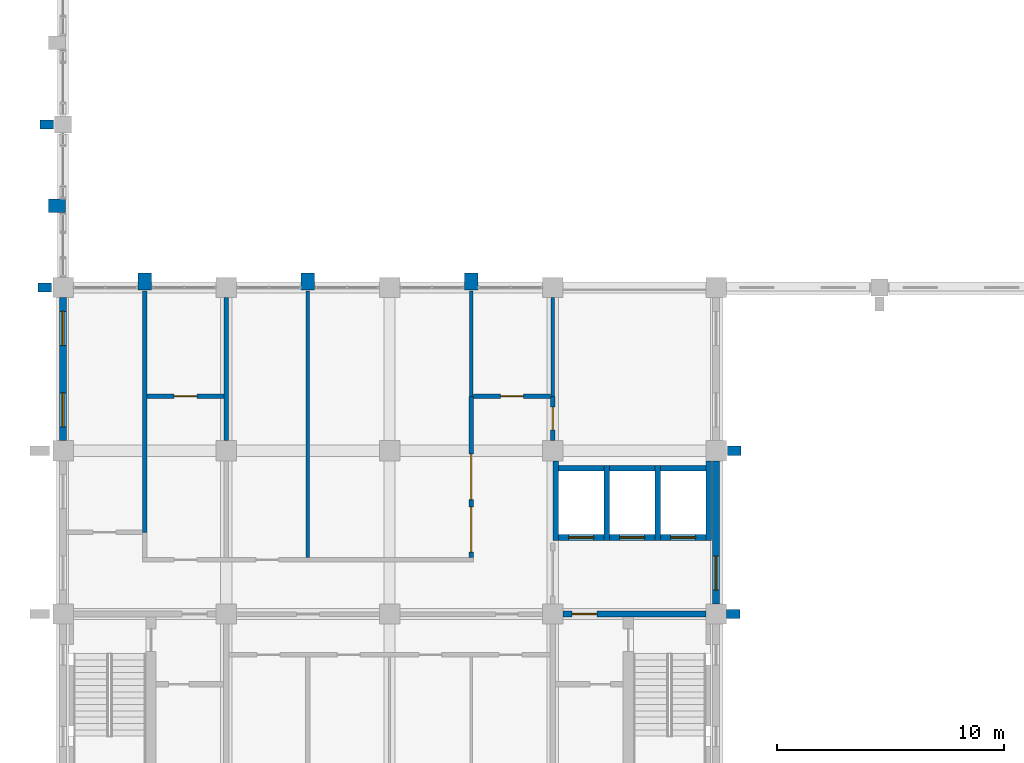
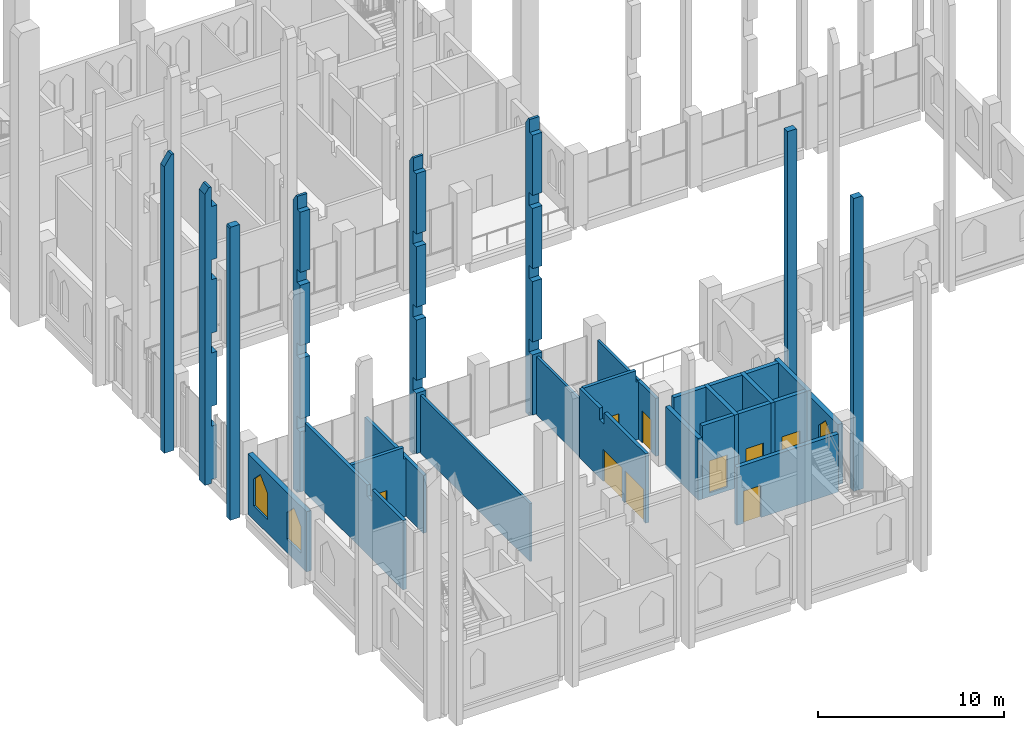
# One storey, part 29 of 40: 30 walls, 9 doors, 3 windows, 12 openings.
"""IFC4 building model written with IfcOpenShell, lengths in metres."""

from ifc_helpers import new_model, si_unit, direction, frame, frame_2d, origin, place, context, subcontext, project, spatial, polyline, rectangle, outline, extrude, material, layer, layer_set, type_object, element, fill, save


model = new_model("IFC4")

# Units and contexts
model_context = context("Model", 3, precision=1e-05, world=origin(), true_north=direction((0.0, 1.0)))
body_context = subcontext(model_context, "Body", "Model", "MODEL_VIEW")
ifc_project = project(units=[si_unit("LENGTHUNIT", "METRE"), si_unit("AREAUNIT", "SQUARE_METRE"), si_unit("VOLUMEUNIT", "CUBIC_METRE"), si_unit("PLANEANGLEUNIT", "RADIAN"), si_unit("MASSUNIT", "GRAM", prefix="KILO")], contexts=[model_context])

# Site, building, storey
site_placement = place(None, origin())
site = spatial("IfcSite", under=ifc_project, at=site_placement, CompositionType="ELEMENT")
building_placement = place(site_placement, origin())
building = spatial("IfcBuilding", under=site, at=building_placement, Name="Silangan Lancet Faculty of Sciences", CompositionType="ELEMENT")
storey_placement = place(building_placement, frame((0.0, 0.0, 21.60009765625)))
storey = spatial("IfcBuildingStorey", under=building, at=storey_placement, Name="L04", CompositionType="ELEMENT", Elevation=21.60009765625)

# Wall, openings, windows
ifc_material_1 = material(Name="Concrete C40/50 precast", Category="concrete")
ifc_layer_1 = layer(ifc_material_1, 0.300048828125)
ifc_layer_set_1 = layer_set([ifc_layer_1], Name="Concrete C40/50 precast")
wall_type_1 = type_object("IfcWallType", Name="EW1 Precast cladding wall", PredefinedType="STANDARD", material=ifc_layer_set_1)
wall_1_placement = place(storey_placement, frame((0.0, 14.85009765625, 0.0), z_axis=(0.0, 0.0, 1.0), x_axis=(0.0, 1.0, 0.0)))
wall_1 = element("IfcWall", 1, at=wall_1_placement, inside=storey, type_object=wall_type_1, Name="EW-L04-W-ST-02", PredefinedType="STANDARD", context=body_context, shape_type="SweptSolid", body=[
    extrude(rectangle(XDim=6.2998046875, YDim=0.300048828125, at=frame_2d((3.14990234375, 0.0))), origin(), (0.0, 0.0, 1.0), 3.949951171875),
])
opening_1_placement = place(wall_1_placement, frame((0.60009765625, 0.0, 0.89990234375)))
opening_1 = element("IfcOpeningElement", 2, at=opening_1_placement, cuts=wall_1, Name="Opening W12", PredefinedType="OPENING", context=body_context, shape_type="SweptSolid", body=[
    extrude(outline(polyline([(0.0, 0.0), (1.5, 0.0), (1.5, 1.75), (0.75, 2.5), (0.0, 1.75), (0.0, 0.0)])), frame((0.0, 0.159912109375, 0.0), z_axis=(0.0, -1.0, 0.0), x_axis=(1.0, 0.0, 0.0)), (0.0, 0.0, 1.0), 0.320068359375),
])
opening_2_placement = place(wall_1_placement, frame((4.199951171875, 0.0, 0.89990234375)))
opening_2 = element("IfcOpeningElement", 3, at=opening_2_placement, cuts=wall_1, Name="Opening W12", PredefinedType="OPENING", context=body_context, shape_type="SweptSolid", body=[
    extrude(outline(polyline([(0.0, 0.0), (1.5, 0.0), (1.5, 1.75), (0.75, 2.5), (0.0, 1.75), (0.0, 0.0)])), frame((0.0, 0.159912109375, 0.0), z_axis=(0.0, -1.0, 0.0), x_axis=(1.0, 0.0, 0.0)), (0.0, 0.0, 1.0), 0.320068359375),
])
ifc_material_2 = material(Name="Aluminium frame, laminated double glazing", Category="aluminium")
window_type = type_object("IfcWindowType", Name="W12 Lancet window 1500 x 2500", PartitioningType="SINGLE_PANEL", PredefinedType="WINDOW", material=ifc_material_2)
window_1_placement = place(opening_1_placement, origin())
window_1 = element("IfcWindow", 4, at=window_1_placement, inside=storey, type_object=window_type, Name="WIN-L04-W-ST-02a", OverallHeight=2.5, OverallWidth=1.5, PartitioningType="SINGLE_PANEL", PredefinedType="WINDOW", context=body_context, shape_type="SweptSolid", body=[
    extrude(outline(polyline([(0.0, 0.0), (1.5, 0.0), (1.5, 1.75), (0.75, 2.5), (0.0, 1.75), (0.0, 0.0)])), frame((0.0, 0.030029296875, 0.0), z_axis=(0.0, -1.0, 0.0), x_axis=(1.0, 0.0, 0.0)), (0.0, 0.0, 1.0), 0.06005859375),
])
fill(opening_1, window_1)
window_2_placement = place(opening_2_placement, origin())
window_2 = element("IfcWindow", 5, at=window_2_placement, inside=storey, type_object=window_type, Name="WIN-L04-W-ST-02b", OverallHeight=2.5, OverallWidth=1.5, PartitioningType="SINGLE_PANEL", PredefinedType="WINDOW", context=body_context, shape_type="SweptSolid", body=[
    extrude(outline(polyline([(0.0, 0.0), (1.5, 0.0), (1.5, 1.75), (0.75, 2.5), (0.0, 1.75), (0.0, 0.0)])), frame((0.0, 0.030029296875, 0.0), z_axis=(0.0, -1.0, 0.0), x_axis=(1.0, 0.0, 0.0)), (0.0, 0.0, 1.0), 0.06005859375),
])
fill(opening_2, window_2)

# Wall, opening, window
wall_2_placement = place(storey_placement, frame((28.800048828125, 7.64990234375, 0.0), z_axis=(0.0, 0.0, 1.0), x_axis=(0.0, 1.0, 0.0)))
wall_2 = element("IfcWall", 6, at=wall_2_placement, inside=storey, type_object=wall_type_1, Name="EW-L04-E-ST-01", PredefinedType="STANDARD", context=body_context, shape_type="SweptSolid", body=[
    extrude(rectangle(XDim=6.300048828125, YDim=0.300048828125, at=frame_2d((3.14990234375, 0.0))), origin(), (0.0, 0.0, 1.0), 3.949951171875),
])
opening_3_placement = place(wall_2_placement, frame((0.60009765625, 0.0, 0.89990234375)))
opening_3 = element("IfcOpeningElement", 7, at=opening_3_placement, cuts=wall_2, Name="Opening W12", PredefinedType="OPENING", context=body_context, shape_type="SweptSolid", body=[
    extrude(outline(polyline([(0.0, 0.0), (1.5, 0.0), (1.5, 1.75), (0.75, 2.5), (0.0, 1.75), (0.0, 0.0)])), frame((0.0, 0.159912109375, 0.0), z_axis=(0.0, -1.0, 0.0), x_axis=(1.0, 0.0, 0.0)), (0.0, 0.0, 1.0), 0.320068359375),
])
window_3_placement = place(opening_3_placement, origin())
window_3 = element("IfcWindow", 8, at=window_3_placement, inside=storey, type_object=window_type, Name="WIN-L04-E-ST-01a", OverallHeight=2.5, OverallWidth=1.5, PartitioningType="SINGLE_PANEL", PredefinedType="WINDOW", context=body_context, shape_type="SweptSolid", body=[
    extrude(outline(polyline([(0.0, 0.0), (1.5, 0.0), (1.5, 1.75), (0.75, 2.5), (0.0, 1.75), (0.0, 0.0)])), frame((0.0, 0.030029296875, 0.0), z_axis=(0.0, -1.0, 0.0), x_axis=(1.0, 0.0, 0.0)), (0.0, 0.0, 1.0), 0.06005859375),
])
fill(opening_3, window_3)

# Walls
ifc_material_3 = material(Name="Concrete C40/50 precast", Category="concrete")
ifc_layer_2 = layer(ifc_material_3, 0.39990234375)
ifc_layer_set_2 = layer_set([ifc_layer_2], Name="Concrete C40/50 precast")
wall_type_2 = type_object("IfcWallType", Name="FN21 Buttress Fin column line stage 2 19200", PredefinedType="POLYGONAL", material=ifc_layer_set_2)
for number, where, z_axis, x_axis, name in (
    (9, (-0.5, 21.60009765625, -0.25), (0.0, 0.0, 1.0), (-1.0, 0.0, 0.0), "FINC-W-NAVE-01-S2"),
    (10, (29.300048828125, 14.39990234375, -0.25), (0.0, 0.0, 1.0), (1.0, 0.0, 0.0), "FINC-E-ST-03-S2"),
):
    element("IfcWall", number, at=place(storey_placement, frame(where, z_axis=z_axis, x_axis=x_axis)), inside=storey, type_object=wall_type_2, Name=name, PredefinedType="POLYGONAL", context=body_context, shape_type="SweptSolid", body=[
        extrude(outline(polyline([(0.60009765625, 0.0), (0.60009765625, 19.125), (0.550048828125, 19.199951171875), (0.0, 19.199951171875), (0.0, 0.0), (0.60009765625, 0.0)])), frame((0.0, 0.199951171875, 0.0), z_axis=(0.0, -1.0, 0.0), x_axis=(1.0, 0.0, 0.0)), (0.0, 0.0, 1.0), 0.39990234375),
    ])
ifc_material_4 = material(Name="Concrete C40/50 precast", Category="concrete")
ifc_layer_3 = layer(ifc_material_4, 0.39990234375)
ifc_layer_set_3 = layer_set([ifc_layer_3], Name="Concrete C40/50 precast")
wall_type_3 = type_object("IfcWallType", Name="FN24 Buttress Fin column line stage 2 19450", PredefinedType="POLYGONAL", material=ifc_layer_set_3)
wall_3_placement = place(storey_placement, frame((-0.425048828125, 28.800048828125, -0.25), z_axis=(0.0, 0.0, 1.0), x_axis=(-1.0, 0.0, 0.0)))
element("IfcWall", 11, at=wall_3_placement, inside=storey, type_object=wall_type_3, Name="FINC-W-NAVE-02-S2", PredefinedType="POLYGONAL", context=body_context, shape_type="SweptSolid", body=[
    extrude(outline(polyline([(0.60009765625, 0.0), (0.60009765625, 18.77490234375), (0.14990234375, 19.449951171875), (0.0, 19.449951171875), (0.0, 0.0), (0.60009765625, 0.0)])), frame((0.0, 0.199951171875, 0.0), z_axis=(0.0, -1.0, 0.0), x_axis=(1.0, 0.0, 0.0)), (0.0, 0.0, 1.0), 0.39990234375),
])
ifc_material_5 = material(Name="Concrete C40/50 precast", Category="concrete")
ifc_layer_4 = layer(ifc_material_5, 0.39990234375)
ifc_layer_set_4 = layer_set([ifc_layer_4], Name="Concrete C40/50 precast")
wall_type_4 = type_object("IfcWallType", Name="FN39 Buttress Fin column line stage 2 19200", PredefinedType="POLYGONAL", material=ifc_layer_set_4)
wall_4_placement = place(storey_placement, frame((29.25, 7.199951171875, -0.25), z_axis=(0.0, 0.0, 1.0), x_axis=(1.0, 0.0, 0.0)))
element("IfcWall", 12, at=wall_4_placement, inside=storey, type_object=wall_type_4, Name="FINC-E-ST-02-S2", PredefinedType="POLYGONAL", context=body_context, shape_type="SweptSolid", body=[
    extrude(outline(polyline([(0.60009765625, 0.0), (0.60009765625, 19.125), (0.550048828125, 19.199951171875), (0.0, 19.199951171875), (0.0, 0.0), (0.60009765625, 0.0)])), frame((0.0, 0.199951171875, 0.0), z_axis=(0.0, -1.0, 0.0), x_axis=(1.0, 0.0, 0.0)), (0.0, 0.0, 1.0), 0.39990234375),
])
ifc_material_6 = material(Name="Concrete C40/50 precast", Category="concrete")
ifc_layer_5 = layer(ifc_material_6, 0.60009765625)
ifc_layer_set_5 = layer_set([ifc_layer_5], Name="Concrete C40/50 precast")
wall_type_5 = type_object("IfcWallType", Name="FN4 Buttress Fin mid-bay stage 2 19450", PredefinedType="POLYGONAL", material=ifc_layer_set_5)
for number, where, z_axis, x_axis, name in (
    (13, (18.0, 21.5, -0.25), (0.0, 0.0, 1.0), (0.0, 1.0, 0.0), "FIN-ATR-ST-1-S2"),
    (14, (10.800048828125, 21.5, -0.25), (0.0, 0.0, 1.0), (0.0, 1.0, 0.0), "FIN-ATR-ST-3-S2"),
    (15, (3.60009765625, 21.5, -0.25), (0.0, 0.0, 1.0), (0.0, 1.0, 0.0), "FIN-ATR-ST-5-S2"),
):
    element("IfcWall", number, at=place(storey_placement, frame(where, z_axis=z_axis, x_axis=x_axis)), inside=storey, type_object=wall_type_5, Name=name, PredefinedType="POLYGONAL", context=body_context, shape_type="SweptSolid", body=[
        extrude(outline(polyline([(0.75, 0.0), (0.75, 19.0), (0.449951171875, 19.449951171875), (0.300048828125, 19.449951171875), (0.300048828125, 18.599853515625), (0.0, 18.599853515625), (0.0, 14.64990234375), (0.35009765625, 14.64990234375), (0.35009765625, 13.7998046875), (0.0, 13.7998046875), (0.0, 9.849853515625), (0.35009765625, 9.849853515625), (0.35009765625, 9.0), (0.0, 9.0), (0.0, 5.0498046875), (0.35009765625, 5.0498046875), (0.35009765625, 4.199951171875), (0.0, 4.199951171875), (0.0, 0.25), (0.35009765625, 0.25), (0.35009765625, 0.0), (0.75, 0.0)])), frame((0.0, 0.300048828125, 0.0), z_axis=(0.0, -1.0, 0.0), x_axis=(1.0, 0.0, 0.0)), (0.0, 0.0, 1.0), 0.60009765625),
    ])
ifc_material_7 = material(Name="Concrete C40/50 precast", Category="concrete")
ifc_layer_6 = layer(ifc_material_7, 0.60009765625)
ifc_layer_set_6 = layer_set([ifc_layer_6], Name="Concrete C40/50 precast")
wall_type_6 = type_object("IfcWallType", Name="FN6 Buttress Fin mid-bay stage 2 19450", PredefinedType="POLYGONAL", material=ifc_layer_set_6)
wall_5_placement = place(storey_placement, frame((0.10009765625, 25.199951171875, -0.25), z_axis=(0.0, 0.0, 1.0), x_axis=(-1.0, 0.0, 0.0)))
element("IfcWall", 16, at=wall_5_placement, inside=storey, type_object=wall_type_6, Name="FIN-W-NAVE-1-S2", PredefinedType="POLYGONAL", context=body_context, shape_type="SweptSolid", body=[
    extrude(outline(polyline([(0.75, 0.0), (0.75, 19.074951171875), (0.5, 19.449951171875), (0.35009765625, 19.449951171875), (0.35009765625, 18.14990234375), (0.0, 18.14990234375), (0.0, 14.64990234375), (0.35009765625, 14.64990234375), (0.35009765625, 13.349853515625), (0.0, 13.349853515625), (0.0, 9.849853515625), (0.35009765625, 9.849853515625), (0.35009765625, 8.5498046875), (0.0, 8.5498046875), (0.0, 5.0498046875), (0.35009765625, 5.0498046875), (0.35009765625, 3.75), (0.0, 3.75), (0.0, 0.25), (0.35009765625, 0.25), (0.35009765625, 0.0), (0.75, 0.0)])), frame((0.0, 0.300048828125, 0.0), z_axis=(0.0, -1.0, 0.0), x_axis=(1.0, 0.0, 0.0)), (0.0, 0.0, 1.0), 0.60009765625),
])

# Wall, opening, door
ifc_material_8 = material(Name="Hollow block masonry fm 7 MPa", Category="masonry")
ifc_layer_7 = layer(ifc_material_8, 0.199951171875)
ifc_layer_set_7 = layer_set([ifc_layer_7], Name="Hollow block masonry fm 7 MPa")
wall_type_7 = type_object("IfcWallType", Name="Interior wall PW1 Corridor wall CHB 200", PredefinedType="PARTITIONING", material=ifc_layer_set_7)
wall_6_placement = place(storey_placement, frame((18.10009765625, 16.800048828125, 0.0), z_axis=(0.0, 0.0, 1.0), x_axis=(1.0, 0.0, 0.0)))
wall_6 = element("IfcWall", 17, at=wall_6_placement, inside=storey, type_object=wall_type_7, Name="Corridor wall CHB 200", PredefinedType="PARTITIONING", context=body_context, shape_type="SweptSolid", body=[
    extrude(outline(polyline([(0.0, 0.0), (3.39990234375, 0.0), (3.39990234375, 3.7998046875), (3.25, 3.7998046875), (3.25, 4.5498046875), (0.0, 4.5498046875), (0.0, 0.0)])), frame((0.0, 0.10009765625, 0.0), z_axis=(0.0, -1.0, 0.0), x_axis=(1.0, 0.0, 0.0)), (0.0, 0.0, 1.0), 0.199951171875),
])
opening_4_placement = place(wall_6_placement, frame((1.199951171875, 0.0, 0.0)))
opening_4 = element("IfcOpeningElement", 18, at=opening_4_placement, cuts=wall_6, Name="Opening L04-013", PredefinedType="OPENING", context=body_context, shape_type="SweptSolid", body=[
    extrude(rectangle(XDim=1.0, YDim=2.10009765625, at=frame_2d((0.5, 1.050048828125))), frame((0.0, 0.10986328125, 0.0), z_axis=(0.0, -1.0, 0.0), x_axis=(1.0, 0.0, 0.0)), (0.0, 0.0, 1.0), 0.219970703125),
])
ifc_material_9 = material(Name="Steel fire door set", Category="steel")
door_type_1 = type_object("IfcDoorType", Name="Door D1 Single leaf fire door 1000 x 2100", OperationType="SINGLE_SWING_LEFT", PredefinedType="DOOR", material=ifc_material_9)
door_1_placement = place(opening_4_placement, origin())
door_1 = element("IfcDoor", 19, at=door_1_placement, inside=storey, type_object=door_type_1, Name="Single leaf fire door 1000 x 2100", OperationType="SINGLE_SWING_RIGHT", OverallHeight=2.10009765625, OverallWidth=1.0, PredefinedType="DOOR", context=body_context, shape_type="SweptSolid", body=[
    extrude(rectangle(XDim=1.0, YDim=2.10009765625, at=frame_2d((0.5, 1.050048828125))), frame((0.0, 0.02490234375, 0.0), z_axis=(0.0, -1.0, 0.0), x_axis=(1.0, 0.0, 0.0)), (0.0, 0.0, 1.0), 0.050048828125),
])
fill(opening_4, door_1)

# Wall, openings, doors
wall_7_placement = place(storey_placement, frame((18.0, 9.699951171875, 0.0), z_axis=(0.0, 0.0, 1.0), x_axis=(0.0, 1.0, 0.0)))
wall_7 = element("IfcWall", 20, at=wall_7_placement, inside=storey, type_object=wall_type_7, Name="Corridor wall CHB 200", PredefinedType="PARTITIONING", context=body_context, shape_type="SweptSolid", body=[
    extrude(outline(polyline([(0.0, 0.0), (7.10009765625, 0.0), (7.10009765625, 4.5498046875), (4.949951171875, 4.5498046875), (4.949951171875, 3.7998046875), (4.449951171875, 3.7998046875), (4.449951171875, 4.5498046875), (0.0, 4.5498046875), (0.0, 0.0)])), frame((0.0, 0.10009765625, 0.0), z_axis=(0.0, -1.0, 0.0), x_axis=(1.0, 0.0, 0.0)), (0.0, 0.0, 1.0), 0.199951171875),
])
opening_5_placement = place(wall_7_placement, frame((2.550048828125, 0.0, 0.0)))
opening_5 = element("IfcOpeningElement", 21, at=opening_5_placement, cuts=wall_7, Name="Opening L04-019", PredefinedType="OPENING", context=body_context, shape_type="SweptSolid", body=[
    extrude(rectangle(XDim=2.0, YDim=2.10009765625, at=frame_2d((1.0, 1.050048828125))), frame((0.0, 0.10986328125, 0.0), z_axis=(0.0, -1.0, 0.0), x_axis=(1.0, 0.0, 0.0)), (0.0, 0.0, 1.0), 0.219970703125),
])
opening_6_placement = place(wall_7_placement, frame((0.22509765625, 0.0, 0.0)))
opening_6 = element("IfcOpeningElement", 22, at=opening_6_placement, cuts=wall_7, Name="Opening L04-020", PredefinedType="OPENING", context=body_context, shape_type="SweptSolid", body=[
    extrude(rectangle(XDim=2.0, YDim=2.10009765625, at=frame_2d((1.0, 1.050048828125))), frame((0.0, 0.10986328125, 0.0), z_axis=(0.0, -1.0, 0.0), x_axis=(1.0, 0.0, 0.0)), (0.0, 0.0, 1.0), 0.219970703125),
])
ifc_material_10 = material(Name="Steel fire door set", Category="steel")
door_type_2 = type_object("IfcDoorType", Name="Door D4 Double leaf fire door 2000 x 2100", OperationType="DOUBLE_DOOR_SINGLE_SWING", PredefinedType="DOOR", material=ifc_material_10)
door_2_placement = place(opening_5_placement, origin())
door_2 = element("IfcDoor", 23, at=door_2_placement, inside=storey, type_object=door_type_2, Name="Double leaf fire door 2000 x 2100", OperationType="DOUBLE_DOOR_SINGLE_SWING", OverallHeight=2.10009765625, OverallWidth=2.0, PredefinedType="DOOR", context=body_context, shape_type="SweptSolid", body=[
    extrude(rectangle(XDim=2.0, YDim=2.10009765625, at=frame_2d((1.0, 1.050048828125))), frame((0.0, 0.02490234375, 0.0), z_axis=(0.0, -1.0, 0.0), x_axis=(1.0, 0.0, 0.0)), (0.0, 0.0, 1.0), 0.050048828125),
])
fill(opening_5, door_2)
door_3_placement = place(opening_6_placement, origin())
door_3 = element("IfcDoor", 24, at=door_3_placement, inside=storey, type_object=door_type_2, Name="Double leaf fire door 2000 x 2100", OperationType="DOUBLE_DOOR_SINGLE_SWING", OverallHeight=2.10009765625, OverallWidth=2.0, PredefinedType="DOOR", context=body_context, shape_type="SweptSolid", body=[
    extrude(rectangle(XDim=2.0, YDim=2.10009765625, at=frame_2d((1.0, 1.050048828125))), frame((0.0, 0.02490234375, 0.0), z_axis=(0.0, -1.0, 0.0), x_axis=(1.0, 0.0, 0.0)), (0.0, 0.0, 1.0), 0.050048828125),
])
fill(opening_6, door_3)

# Wall, opening, door
wall_8_placement = place(storey_placement, frame((21.60009765625, 14.85009765625, 0.0), z_axis=(0.0, 0.0, 1.0), x_axis=(0.0, 1.0, 0.0)))
wall_8 = element("IfcWall", 25, at=wall_8_placement, inside=storey, type_object=wall_type_7, Name="Corridor wall CHB 200", PredefinedType="PARTITIONING", context=body_context, shape_type="SweptSolid", body=[
    extrude(rectangle(XDim=1.949951171875, YDim=0.199951171875, at=frame_2d((0.97509765625, 0.0))), origin(), (0.0, 0.0, 1.0), 3.7998046875),
])
opening_7_placement = place(wall_8_placement, frame((0.474853515625, 0.0, 0.0)))
opening_7 = element("IfcOpeningElement", 26, at=opening_7_placement, cuts=wall_8, Name="Opening L04-014", PredefinedType="OPENING", context=body_context, shape_type="SweptSolid", body=[
    extrude(rectangle(XDim=1.0, YDim=2.10009765625, at=frame_2d((0.5, 1.050048828125))), frame((0.0, 0.10986328125, 0.0), z_axis=(0.0, -1.0, 0.0), x_axis=(1.0, 0.0, 0.0)), (0.0, 0.0, 1.0), 0.219970703125),
])
door_4_placement = place(opening_7_placement, frame((1.0, 0.0, 0.0), z_axis=(0.0, 0.0, 1.0), x_axis=(-1.0, 0.0, 0.0)))
door_4 = element("IfcDoor", 27, at=door_4_placement, inside=storey, type_object=door_type_1, Name="Single leaf fire door 1000 x 2100", OperationType="SINGLE_SWING_RIGHT", OverallHeight=2.10009765625, OverallWidth=1.0, PredefinedType="DOOR", context=body_context, shape_type="SweptSolid", body=[
    extrude(rectangle(XDim=1.0, YDim=2.10009765625, at=frame_2d((0.5, 1.050048828125))), frame((0.0, 0.025146484375, 0.0), z_axis=(0.0, -1.0, 0.0), x_axis=(1.0, 0.0, 0.0)), (0.0, 0.0, 1.0), 0.050048828125),
])
fill(opening_7, door_4)

# Walls
ifc_material_11 = material(Name="Hollow block masonry fm 7 MPa", Category="masonry")
ifc_layer_8 = layer(ifc_material_11, 0.14990234375)
ifc_layer_set_8 = layer_set([ifc_layer_8], Name="Hollow block masonry fm 7 MPa")
wall_type_8 = type_object("IfcWallType", Name="Interior wall PW3 Partition CHB 150", PredefinedType="PARTITIONING", material=ifc_layer_set_8)
wall_9_placement = place(storey_placement, frame((10.800048828125, 9.699951171875, 0.0), z_axis=(0.0, 0.0, 1.0), x_axis=(0.0, 1.0, 0.0)))
element("IfcWall", 28, at=wall_9_placement, inside=storey, type_object=wall_type_8, Name="Partition CHB 150", PredefinedType="PARTITIONING", context=body_context, shape_type="SweptSolid", body=[
    extrude(rectangle(XDim=11.75, YDim=0.14990234375, at=frame_2d((5.875, 0.0))), origin(), (0.0, 0.0, 1.0), 3.7998046875),
])
wall_10_placement = place(storey_placement, frame((18.0, 16.800048828125, 0.0), z_axis=(0.0, 0.0, 1.0), x_axis=(0.0, 1.0, 0.0)))
element("IfcWall", 29, at=wall_10_placement, inside=storey, type_object=wall_type_8, Name="Partition CHB 150", PredefinedType="PARTITIONING", context=body_context, shape_type="SweptSolid", body=[
    extrude(rectangle(XDim=4.64990234375, YDim=0.14990234375, at=frame_2d((2.324951171875, 0.0))), origin(), (0.0, 0.0, 1.0), 3.7998046875),
])
wall_11_placement = place(storey_placement, frame((21.60009765625, 16.800048828125, 0.0), z_axis=(0.0, 0.0, 1.0), x_axis=(0.0, 1.0, 0.0)))
element("IfcWall", 30, at=wall_11_placement, inside=storey, type_object=wall_type_8, Name="Partition CHB 150", PredefinedType="PARTITIONING", context=body_context, shape_type="SweptSolid", body=[
    extrude(rectangle(XDim=4.349853515625, YDim=0.14990234375, at=frame_2d((2.1748046875, 0.0))), origin(), (0.0, 0.0, 1.0), 3.7998046875),
])

# Wall, opening, door
ifc_material_12 = material(Name="Hollow block masonry fm 7 MPa", Category="masonry")
ifc_layer_9 = layer(ifc_material_12, 0.199951171875)
ifc_layer_set_9 = layer_set([ifc_layer_9], Name="Hollow block masonry fm 7 MPa")
wall_type_9 = type_object("IfcWallType", Name="Interior wall PW4 Laboratory separation CHB 200", PredefinedType="PARTITIONING", material=ifc_layer_set_9)
wall_12_placement = place(storey_placement, frame((3.699951171875, 16.800048828125, 0.0), z_axis=(0.0, 0.0, 1.0), x_axis=(1.0, 0.0, 0.0)))
wall_12 = element("IfcWall", 31, at=wall_12_placement, inside=storey, type_object=wall_type_9, Name="Laboratory separation CHB 200", PredefinedType="PARTITIONING", context=body_context, shape_type="SweptSolid", body=[
    extrude(outline(polyline([(0.0, 0.0), (3.400146484375, 0.0), (3.400146484375, 3.7998046875), (3.25, 3.7998046875), (3.25, 4.5498046875), (0.0, 4.5498046875), (0.0, 0.0)])), frame((0.0, 0.10009765625, 0.0), z_axis=(0.0, -1.0, 0.0), x_axis=(1.0, 0.0, 0.0)), (0.0, 0.0, 1.0), 0.199951171875),
])
opening_8_placement = place(wall_12_placement, frame((1.199951171875, 0.0, 0.0)))
opening_8 = element("IfcOpeningElement", 32, at=opening_8_placement, cuts=wall_12, Name="Opening L04-017", PredefinedType="OPENING", context=body_context, shape_type="SweptSolid", body=[
    extrude(rectangle(XDim=1.0, YDim=2.10009765625, at=frame_2d((0.5, 1.050048828125))), frame((0.0, 0.10986328125, 0.0), z_axis=(0.0, -1.0, 0.0), x_axis=(1.0, 0.0, 0.0)), (0.0, 0.0, 1.0), 0.219970703125),
])
door_5_placement = place(opening_8_placement, origin())
door_5 = element("IfcDoor", 33, at=door_5_placement, inside=storey, type_object=door_type_1, Name="Single leaf fire door 1000 x 2100", OperationType="SINGLE_SWING_RIGHT", OverallHeight=2.10009765625, OverallWidth=1.0, PredefinedType="DOOR", context=body_context, shape_type="SweptSolid", body=[
    extrude(rectangle(XDim=1.0, YDim=2.10009765625, at=frame_2d((0.5, 1.050048828125))), frame((0.0, 0.02490234375, 0.0), z_axis=(0.0, -1.0, 0.0), x_axis=(1.0, 0.0, 0.0)), (0.0, 0.0, 1.0), 0.050048828125),
])
fill(opening_8, door_5)

# Walls
wall_13_placement = place(storey_placement, frame((3.60009765625, 10.800048828125, 0.0), z_axis=(0.0, 0.0, 1.0), x_axis=(0.0, 1.0, 0.0)))
element("IfcWall", 34, at=wall_13_placement, inside=storey, type_object=wall_type_9, Name="Laboratory separation CHB 200", PredefinedType="PARTITIONING", context=body_context, shape_type="SweptSolid", body=[
    extrude(outline(polyline([(0.0, 0.0), (10.64990234375, 0.0), (10.64990234375, 3.949951171875), (10.550048828125, 3.949951171875), (10.550048828125, 4.5498046875), (3.85009765625, 4.5498046875), (3.85009765625, 3.7998046875), (3.35009765625, 3.7998046875), (3.35009765625, 4.5498046875), (0.0, 4.5498046875), (0.0, 0.0)])), frame((0.0, 0.10009765625, 0.0), z_axis=(0.0, -1.0, 0.0), x_axis=(1.0, 0.0, 0.0)), (0.0, 0.0, 1.0), 0.199951171875),
])
wall_14_placement = place(storey_placement, frame((7.199951171875, 14.85009765625, 0.0), z_axis=(0.0, 0.0, 1.0), x_axis=(0.0, 1.0, 0.0)))
element("IfcWall", 35, at=wall_14_placement, inside=storey, type_object=wall_type_9, Name="Laboratory separation CHB 200", PredefinedType="PARTITIONING", context=body_context, shape_type="SweptSolid", body=[
    extrude(rectangle(XDim=6.2998046875, YDim=0.199951171875, at=frame_2d((3.14990234375, 0.0))), origin(), (0.0, 0.0, 1.0), 3.7998046875),
])
ifc_material_13 = material(Name="Concrete C40/50", Category="concrete")
ifc_layer_10 = layer(ifc_material_13, 0.25)
ifc_layer_set_10 = layer_set([ifc_layer_10], Name="Concrete C40/50")
wall_type_10 = type_object("IfcWallType", Name="LIFT SHAFT WALL RC 250", PredefinedType="SHEAR", material=ifc_layer_set_10)
wall_15_placement = place(storey_placement, frame((21.72509765625, 10.449951171875, -0.25), z_axis=(0.0, 0.0, 1.0), x_axis=(0.0, 1.0, 0.0)))
element("IfcWall", 36, at=wall_15_placement, inside=storey, type_object=wall_type_10, Name="WALL-L04-ST-SW1", PredefinedType="SHEAR", context=body_context, shape_type="SweptSolid", body=[
    extrude(rectangle(XDim=3.5, YDim=0.25, at=frame_2d((1.75, 0.0))), origin(), (0.0, 0.0, 1.0), 4.0498046875),
])
for number, where, z_axis, x_axis, name in (
    (37, (23.97509765625, 10.449951171875, -0.25), (0.0, 0.0, 1.0), (0.0, 1.0, 0.0), "WALL-L04-ST-SW2"),
    (38, (26.22509765625, 10.449951171875, -0.25), (0.0, 0.0, 1.0), (0.0, 1.0, 0.0), "WALL-L04-ST-SW3"),
):
    element("IfcWall", number, at=place(storey_placement, frame(where, z_axis=z_axis, x_axis=x_axis)), inside=storey, type_object=wall_type_10, Name=name, PredefinedType="SHEAR", context=body_context, shape_type="SweptSolid", body=[
        extrude(rectangle(XDim=3.300048828125, YDim=0.25, at=frame_2d((1.64990234375, 0.0))), origin(), (0.0, 0.0, 1.0), 4.7998046875),
    ])
wall_16_placement = place(storey_placement, frame((28.47509765625, 10.449951171875, -0.25), z_axis=(0.0, 0.0, 1.0), x_axis=(0.0, 1.0, 0.0)))
element("IfcWall", 39, at=wall_16_placement, inside=storey, type_object=wall_type_10, Name="WALL-L04-ST-SW4", PredefinedType="SHEAR", context=body_context, shape_type="SweptSolid", body=[
    extrude(rectangle(XDim=3.5, YDim=0.25, at=frame_2d((1.75, 0.0))), origin(), (0.0, 0.0, 1.0), 4.7998046875),
])

# Wall, opening, door
wall_17_placement = place(storey_placement, frame((21.85009765625, 10.574951171875, -0.25), z_axis=(0.0, 0.0, 1.0), x_axis=(1.0, 0.0, 0.0)))
wall_17 = element("IfcWall", 40, at=wall_17_placement, inside=storey, type_object=wall_type_10, Name="WALL-L04-ST-L1-F", PredefinedType="SHEAR", context=body_context, shape_type="SweptSolid", body=[
    extrude(rectangle(XDim=2.0, YDim=0.25, at=frame_2d((1.0, 0.0))), origin(), (0.0, 0.0, 1.0), 4.7998046875),
])
opening_9_placement = place(wall_17_placement, frame((0.449951171875, 0.0, 0.25)))
opening_9 = element("IfcOpeningElement", 41, at=opening_9_placement, cuts=wall_17, Name="Opening L04-807", PredefinedType="OPENING", context=body_context, shape_type="SweptSolid", body=[
    extrude(rectangle(XDim=1.10009765625, YDim=2.10009765625, at=frame_2d((0.550048828125, 1.050048828125))), frame((0.0, 0.135009765625, 0.0), z_axis=(0.0, -1.0, 0.0), x_axis=(1.0, 0.0, 0.0)), (0.0, 0.0, 1.0), 0.27001953125),
])
ifc_material_14 = material(Name="Stainless steel sliding door", Category="steel")
door_type_3 = type_object("IfcDoorType", Name="LD1 Lift landing door 1100x2100", OperationType="SLIDING_TO_LEFT", PredefinedType="DOOR", material=ifc_material_14)
door_6_placement = place(opening_9_placement, origin())
door_6 = element("IfcDoor", 42, at=door_6_placement, inside=storey, type_object=door_type_3, Name="Landing door ST-L1 L04", OperationType="SLIDING_TO_LEFT", OverallHeight=2.10009765625, OverallWidth=1.10009765625, PredefinedType="DOOR", context=body_context, shape_type="SweptSolid", body=[
    extrude(rectangle(XDim=1.10009765625, YDim=2.10009765625, at=frame_2d((0.550048828125, 1.050048828125))), frame((0.0, 0.02490234375, 0.0), z_axis=(0.0, -1.0, 0.0), x_axis=(1.0, 0.0, 0.0)), (0.0, 0.0, 1.0), 0.050048828125),
])
fill(opening_9, door_6)

# Wall
wall_18_placement = place(storey_placement, frame((21.85009765625, 13.625, -0.25), z_axis=(0.0, 0.0, 1.0), x_axis=(1.0, 0.0, 0.0)))
element("IfcWall", 43, at=wall_18_placement, inside=storey, type_object=wall_type_10, Name="WALL-L04-ST-L1-B", PredefinedType="SHEAR", context=body_context, shape_type="SweptSolid", body=[
    extrude(rectangle(XDim=2.0, YDim=0.25, at=frame_2d((1.0, 0.0))), origin(), (0.0, 0.0, 1.0), 4.7998046875),
])

# Wall, opening, door
wall_19_placement = place(storey_placement, frame((24.10009765625, 10.574951171875, -0.25), z_axis=(0.0, 0.0, 1.0), x_axis=(1.0, 0.0, 0.0)))
wall_19 = element("IfcWall", 44, at=wall_19_placement, inside=storey, type_object=wall_type_10, Name="WALL-L04-ST-L2-F", PredefinedType="SHEAR", context=body_context, shape_type="SweptSolid", body=[
    extrude(rectangle(XDim=2.0, YDim=0.25, at=frame_2d((1.0, 0.0))), origin(), (0.0, 0.0, 1.0), 4.7998046875),
])
opening_10_placement = place(wall_19_placement, frame((0.449951171875, 0.0, 0.25)))
opening_10 = element("IfcOpeningElement", 45, at=opening_10_placement, cuts=wall_19, Name="Opening L04-808", PredefinedType="OPENING", context=body_context, shape_type="SweptSolid", body=[
    extrude(rectangle(XDim=1.10009765625, YDim=2.10009765625, at=frame_2d((0.550048828125, 1.050048828125))), frame((0.0, 0.135009765625, 0.0), z_axis=(0.0, -1.0, 0.0), x_axis=(1.0, 0.0, 0.0)), (0.0, 0.0, 1.0), 0.27001953125),
])
door_7_placement = place(opening_10_placement, origin())
door_7 = element("IfcDoor", 46, at=door_7_placement, inside=storey, type_object=door_type_3, Name="Landing door ST-L2 L04", OperationType="SLIDING_TO_LEFT", OverallHeight=2.10009765625, OverallWidth=1.10009765625, PredefinedType="DOOR", context=body_context, shape_type="SweptSolid", body=[
    extrude(rectangle(XDim=1.10009765625, YDim=2.10009765625, at=frame_2d((0.550048828125, 1.050048828125))), frame((0.0, 0.02490234375, 0.0), z_axis=(0.0, -1.0, 0.0), x_axis=(1.0, 0.0, 0.0)), (0.0, 0.0, 1.0), 0.050048828125),
])
fill(opening_10, door_7)

# Wall
wall_20_placement = place(storey_placement, frame((24.10009765625, 13.625, -0.25), z_axis=(0.0, 0.0, 1.0), x_axis=(1.0, 0.0, 0.0)))
element("IfcWall", 47, at=wall_20_placement, inside=storey, type_object=wall_type_10, Name="WALL-L04-ST-L2-B", PredefinedType="SHEAR", context=body_context, shape_type="SweptSolid", body=[
    extrude(rectangle(XDim=2.0, YDim=0.25, at=frame_2d((1.0, 0.0))), origin(), (0.0, 0.0, 1.0), 4.7998046875),
])

# Wall, opening, door
wall_21_placement = place(storey_placement, frame((26.35009765625, 10.574951171875, -0.25), z_axis=(0.0, 0.0, 1.0), x_axis=(1.0, 0.0, 0.0)))
wall_21 = element("IfcWall", 48, at=wall_21_placement, inside=storey, type_object=wall_type_10, Name="WALL-L04-ST-L3-F", PredefinedType="SHEAR", context=body_context, shape_type="SweptSolid", body=[
    extrude(rectangle(XDim=2.0, YDim=0.25, at=frame_2d((1.0, 0.0))), origin(), (0.0, 0.0, 1.0), 4.7998046875),
])
opening_11_placement = place(wall_21_placement, frame((0.449951171875, 0.0, 0.25)))
opening_11 = element("IfcOpeningElement", 49, at=opening_11_placement, cuts=wall_21, Name="Opening L04-809", PredefinedType="OPENING", context=body_context, shape_type="SweptSolid", body=[
    extrude(rectangle(XDim=1.10009765625, YDim=2.10009765625, at=frame_2d((0.550048828125, 1.050048828125))), frame((0.0, 0.135009765625, 0.0), z_axis=(0.0, -1.0, 0.0), x_axis=(1.0, 0.0, 0.0)), (0.0, 0.0, 1.0), 0.27001953125),
])
door_8_placement = place(opening_11_placement, origin())
door_8 = element("IfcDoor", 50, at=door_8_placement, inside=storey, type_object=door_type_3, Name="Landing door ST-L3 L04", OperationType="SLIDING_TO_LEFT", OverallHeight=2.10009765625, OverallWidth=1.10009765625, PredefinedType="DOOR", context=body_context, shape_type="SweptSolid", body=[
    extrude(rectangle(XDim=1.10009765625, YDim=2.10009765625, at=frame_2d((0.550048828125, 1.050048828125))), frame((0.0, 0.02490234375, 0.0), z_axis=(0.0, -1.0, 0.0), x_axis=(1.0, 0.0, 0.0)), (0.0, 0.0, 1.0), 0.050048828125),
])
fill(opening_11, door_8)

# Wall
wall_22_placement = place(storey_placement, frame((26.35009765625, 13.625, -0.25), z_axis=(0.0, 0.0, 1.0), x_axis=(1.0, 0.0, 0.0)))
element("IfcWall", 51, at=wall_22_placement, inside=storey, type_object=wall_type_10, Name="WALL-L04-ST-L3-B", PredefinedType="SHEAR", context=body_context, shape_type="SweptSolid", body=[
    extrude(rectangle(XDim=2.0, YDim=0.25, at=frame_2d((1.0, 0.0))), origin(), (0.0, 0.0, 1.0), 4.7998046875),
])

# Wall, opening, door
ifc_material_15 = material(Name="Concrete C40/50", Category="concrete")
ifc_layer_11 = layer(ifc_material_15, 0.25)
ifc_layer_set_11 = layer_set([ifc_layer_11], Name="Concrete C40/50")
wall_type_11 = type_object("IfcWallType", Name="TURRET WALL RC 250", PredefinedType="SHEAR", material=ifc_layer_set_11)
wall_23_placement = place(storey_placement, frame((22.050048828125, 7.199951171875, 0.0), z_axis=(0.0, 0.0, 1.0), x_axis=(1.0, 0.0, 0.0)))
wall_23 = element("IfcWall", 52, at=wall_23_placement, inside=storey, type_object=wall_type_11, Name="WALL-L04-ST-B-V", PredefinedType="SHEAR", context=body_context, shape_type="SweptSolid", body=[
    extrude(rectangle(XDim=6.300048828125, YDim=0.25, at=frame_2d((3.14990234375, 0.0))), origin(), (0.0, 0.0, 1.0), 3.7998046875),
])
opening_12_placement = place(wall_23_placement, frame((0.39990234375, 0.0, 0.0)))
opening_12 = element("IfcOpeningElement", 53, at=opening_12_placement, cuts=wall_23, Name="Opening L04-717", PredefinedType="OPENING", context=body_context, shape_type="SweptSolid", body=[
    extrude(rectangle(XDim=1.10009765625, YDim=2.10009765625, at=frame_2d((0.550048828125, 1.050048828125))), frame((0.0, 0.135009765625, 0.0), z_axis=(0.0, -1.0, 0.0), x_axis=(1.0, 0.0, 0.0)), (0.0, 0.0, 1.0), 0.27001953125),
])
ifc_material_16 = material(Name="Steel fire door set", Category="steel")
door_type_4 = type_object("IfcDoorType", Name="D70 Stair vestibule door 1100x2100", OperationType="SINGLE_SWING_LEFT", PredefinedType="DOOR", material=ifc_material_16)
door_9_placement = place(opening_12_placement, frame((1.10009765625, 0.0, 0.0), z_axis=(0.0, 0.0, 1.0), x_axis=(-1.0, 0.0, 0.0)))
door_9 = element("IfcDoor", 54, at=door_9_placement, inside=storey, type_object=door_type_4, Name="Stair vestibule door ST-B L04", OperationType="SINGLE_SWING_RIGHT", OverallHeight=2.10009765625, OverallWidth=1.10009765625, PredefinedType="DOOR", context=body_context, shape_type="SweptSolid", body=[
    extrude(rectangle(XDim=1.10009765625, YDim=2.10009765625, at=frame_2d((0.550048828125, 1.050048828125))), frame((0.0, 0.025146484375, 0.0), z_axis=(0.0, -1.0, 0.0), x_axis=(1.0, 0.0, 0.0)), (0.0, 0.0, 1.0), 0.050048828125),
])
fill(opening_12, door_9)

save(model, "model.ifc")
